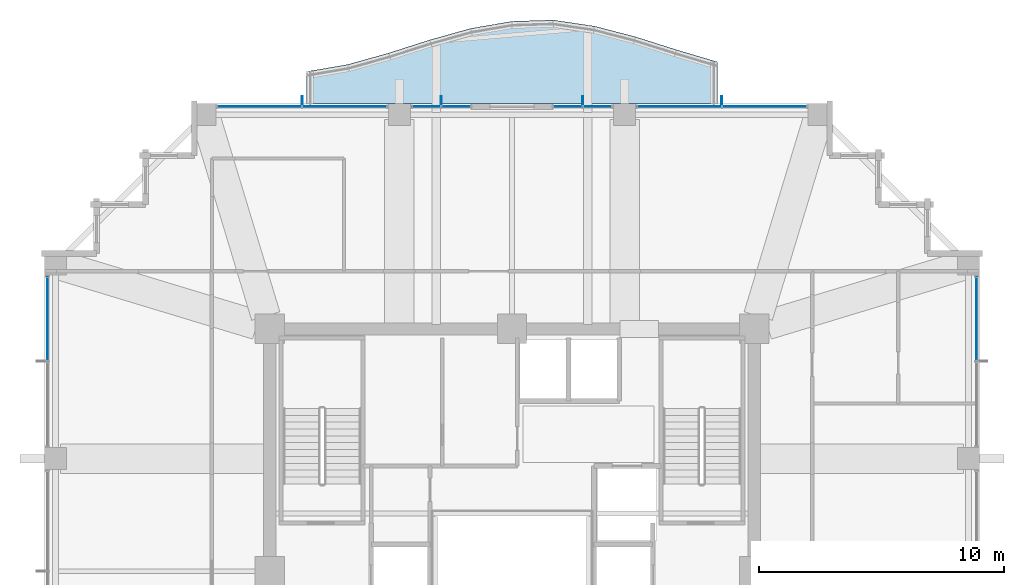
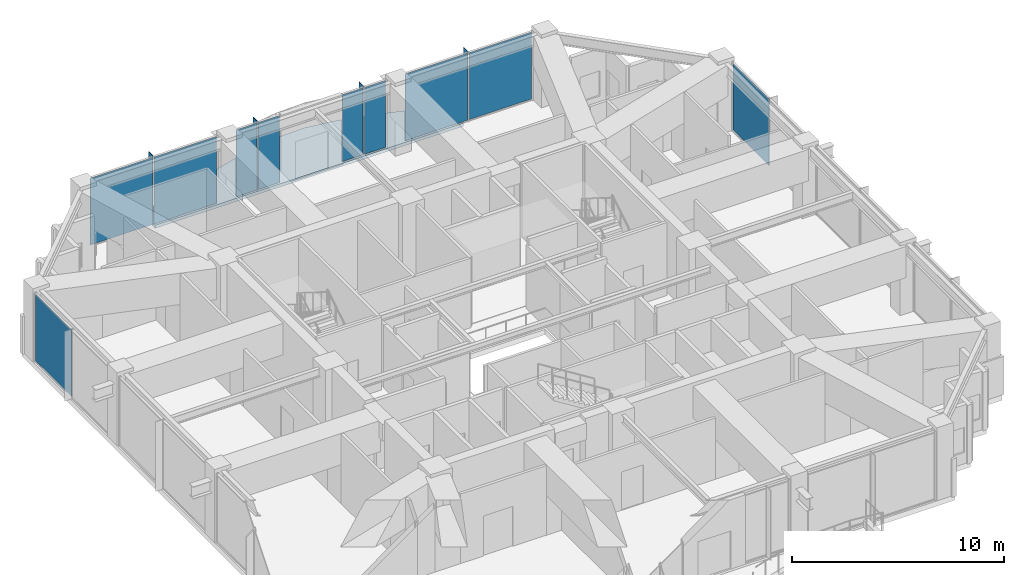
# One storey, part 25 of 33: 14 plates, 1 slab, 6 elements without a shape of their own.
"""IFC4 building model written with IfcOpenShell, lengths in metres."""

from ifc_helpers import new_model, si_unit, direction, frame, origin, origin_2d, place, context, subcontext, project, spatial, polyline, rectangle, outline, extrude, material, layer, layer_set, type_object, element, aggregate, save


model = new_model("IFC4")

# Units and contexts
model_context = context("Model", 3, precision=1e-05, world=origin(), true_north=direction((0.0, 1.0)))
body_context = subcontext(model_context, "Body", "Model", "MODEL_VIEW")
ifc_project = project(units=[si_unit("LENGTHUNIT", "METRE"), si_unit("AREAUNIT", "SQUARE_METRE"), si_unit("VOLUMEUNIT", "CUBIC_METRE"), si_unit("PLANEANGLEUNIT", "RADIAN"), si_unit("MASSUNIT", "GRAM", prefix="KILO")], contexts=[model_context])

# Site, building, storey
site_placement = place(None, origin())
site = spatial("IfcSite", under=ifc_project, at=site_placement, CompositionType="ELEMENT")
building_placement = place(site_placement, origin())
building = spatial("IfcBuilding", under=site, at=building_placement, Name="Kolvaren Belvedere", CompositionType="ELEMENT")
storey_placement = place(building_placement, frame((0.0, 0.0, 152.699951171875)))
storey = spatial("IfcBuildingStorey", under=building, at=storey_placement, Name="L44", CompositionType="ELEMENT", Elevation=152.699951171875)

# Curtain wall, plate
ifc_material_1 = material(Name="Anodised pale-metal aluminium AA 6063-T6", Category="aluminium")
curtain_wall_type = type_object("IfcCurtainWallType", Name="CW-Z3-WAIST", PredefinedType="NOTDEFINED", material=ifc_material_1)
curtain_wall_1_placement = place(storey_placement, origin())
curtain_wall_1 = element("IfcCurtainWall", 1, at=curtain_wall_1_placement, inside=storey, type_object=curtain_wall_type, Name="L44 Unitised Curtain Wall FCW-L44-E-B1", PredefinedType="NOTDEFINED")
ifc_material_2 = material(Name="Low-iron triple insulated glass", Category="glass")
ifc_layer_1 = layer(ifc_material_2, 0.028076171875)
ifc_layer_set_1 = layer_set([ifc_layer_1], Name="Low-iron triple insulated glass")
plate_type_1 = type_object("IfcPlateType", Name="CW-PNL-VIS28", PredefinedType="CURTAIN_PANEL", material=ifc_layer_set_1)
plate_1_placement = place(storey_placement, frame((18.97998046875, 10.311279296875, 0.080078125), z_axis=(0.0, 0.0, 1.0), x_axis=(0.0, -1.0, 0.0)))
plate_1 = element("IfcPlate", 2, at=plate_1_placement, type_object=plate_type_1, Name="FCW-L44-E-B1 Vision Glazing Panel 1", PredefinedType="CURTAIN_PANEL", context=body_context, shape_type="SweptSolid", body=[
    extrude(rectangle(XDim=3.392578125, YDim=0.028076171875, at=origin_2d()), origin(), (0.0, 0.0, 1.0), 3.840087890625),
])
aggregate(curtain_wall_1, [plate_1])

# Curtain wall, plates
curtain_wall_2_placement = place(storey_placement, origin())
curtain_wall_2 = element("IfcCurtainWall", 3, at=curtain_wall_2_placement, inside=storey, type_object=curtain_wall_type, Name="L44 Unitised Curtain Wall FCW-L44-N1-B1", PredefinedType="NOTDEFINED")
plate_2_placement = place(storey_placement, frame((-10.311279296875, 18.97998046875, 0.080078125), z_axis=(0.0, 0.0, 1.0), x_axis=(1.0, 0.0, 0.0)))
plate_2 = element("IfcPlate", 4, at=plate_2_placement, type_object=plate_type_1, Name="FCW-L44-N1-B1 Vision Glazing Panel 1", PredefinedType="CURTAIN_PANEL", context=body_context, shape_type="SweptSolid", body=[
    extrude(rectangle(XDim=3.392578125, YDim=0.028076171875, at=origin_2d()), origin(), (0.0, 0.0, 1.0), 3.840087890625),
])
plate_3_placement = place(storey_placement, frame((-6.8388671875, 18.97998046875, 0.080078125), z_axis=(0.0, 0.0, 1.0), x_axis=(1.0, 0.0, 0.0)))
plate_3 = element("IfcPlate", 5, at=plate_3_placement, type_object=plate_type_1, Name="FCW-L44-N1-B1 Vision Glazing Panel 2", PredefinedType="CURTAIN_PANEL", context=body_context, shape_type="SweptSolid", body=[
    extrude(rectangle(XDim=3.392578125, YDim=0.028076171875, at=origin_2d()), origin(), (0.0, 0.0, 1.0), 3.840087890625),
])
aggregate(curtain_wall_2, [plate_2, plate_3])

curtain_wall_3_placement = place(storey_placement, origin())
curtain_wall_3 = element("IfcCurtainWall", 6, at=curtain_wall_3_placement, inside=storey, type_object=curtain_wall_type, Name="L44 Unitised Curtain Wall FCW-L44-N1-B2", PredefinedType="NOTDEFINED")
plate_4_placement = place(storey_placement, frame((-3.4931640625, 18.97998046875, 0.080078125), z_axis=(0.0, 0.0, 1.0), x_axis=(1.0, 0.0, 0.0)))
plate_4 = element("IfcPlate", 7, at=plate_4_placement, type_object=plate_type_1, Name="FCW-L44-N1-B2 Vision Glazing Panel 1", PredefinedType="CURTAIN_PANEL", context=body_context, shape_type="SweptSolid", body=[
    extrude(rectangle(XDim=1.12890625, YDim=0.028076171875, at=origin_2d()), origin(), (0.0, 0.0, 1.0), 3.840087890625),
])
plate_5_placement = place(storey_placement, frame((-2.284423828125, 18.97998046875, 0.080078125), z_axis=(0.0, 0.0, 1.0), x_axis=(1.0, 0.0, 0.0)))
plate_5 = element("IfcPlate", 8, at=plate_5_placement, type_object=plate_type_1, Name="FCW-L44-N1-B2 Vision Glazing Panel 2", PredefinedType="CURTAIN_PANEL", context=body_context, shape_type="SweptSolid", body=[
    extrude(rectangle(XDim=1.12890625, YDim=0.028076171875, at=origin_2d()), origin(), (0.0, 0.0, 1.0), 3.840087890625),
])
aggregate(curtain_wall_3, [plate_4, plate_5])

curtain_wall_4_placement = place(storey_placement, origin())
curtain_wall_4 = element("IfcCurtainWall", 9, at=curtain_wall_4_placement, inside=storey, type_object=curtain_wall_type, Name="L44 Unitised Curtain Wall FCW-L44-N2-B1", PredefinedType="NOTDEFINED")
plate_6_placement = place(storey_placement, frame((2.284423828125, 18.97998046875, 0.080078125), z_axis=(0.0, 0.0, 1.0), x_axis=(1.0, 0.0, 0.0)))
plate_6 = element("IfcPlate", 10, at=plate_6_placement, type_object=plate_type_1, Name="FCW-L44-N2-B1 Vision Glazing Panel 1", PredefinedType="CURTAIN_PANEL", context=body_context, shape_type="SweptSolid", body=[
    extrude(rectangle(XDim=1.12890625, YDim=0.028076171875, at=origin_2d()), origin(), (0.0, 0.0, 1.0), 3.840087890625),
])
plate_7_placement = place(storey_placement, frame((3.4931640625, 18.97998046875, 0.080078125), z_axis=(0.0, 0.0, 1.0), x_axis=(1.0, 0.0, 0.0)))
plate_7 = element("IfcPlate", 11, at=plate_7_placement, type_object=plate_type_1, Name="FCW-L44-N2-B1 Vision Glazing Panel 2", PredefinedType="CURTAIN_PANEL", context=body_context, shape_type="SweptSolid", body=[
    extrude(rectangle(XDim=1.12890625, YDim=0.028076171875, at=origin_2d()), origin(), (0.0, 0.0, 1.0), 3.840087890625),
])
aggregate(curtain_wall_4, [plate_6, plate_7])

curtain_wall_5_placement = place(storey_placement, origin())
curtain_wall_5 = element("IfcCurtainWall", 12, at=curtain_wall_5_placement, inside=storey, type_object=curtain_wall_type, Name="L44 Unitised Curtain Wall FCW-L44-N2-B2", PredefinedType="NOTDEFINED")
plate_8_placement = place(storey_placement, frame((6.8388671875, 18.97998046875, 0.080078125), z_axis=(0.0, 0.0, 1.0), x_axis=(1.0, 0.0, 0.0)))
plate_8 = element("IfcPlate", 13, at=plate_8_placement, type_object=plate_type_1, Name="FCW-L44-N2-B2 Vision Glazing Panel 1", PredefinedType="CURTAIN_PANEL", context=body_context, shape_type="SweptSolid", body=[
    extrude(rectangle(XDim=3.392578125, YDim=0.028076171875, at=origin_2d()), origin(), (0.0, 0.0, 1.0), 3.840087890625),
])
plate_9_placement = place(storey_placement, frame((10.311279296875, 18.97998046875, 0.080078125), z_axis=(0.0, 0.0, 1.0), x_axis=(1.0, 0.0, 0.0)))
plate_9 = element("IfcPlate", 14, at=plate_9_placement, type_object=plate_type_1, Name="FCW-L44-N2-B2 Vision Glazing Panel 2", PredefinedType="CURTAIN_PANEL", context=body_context, shape_type="SweptSolid", body=[
    extrude(rectangle(XDim=3.392578125, YDim=0.028076171875, at=origin_2d()), origin(), (0.0, 0.0, 1.0), 3.840087890625),
])
aggregate(curtain_wall_5, [plate_8, plate_9])

# Curtain wall, plate
curtain_wall_6_placement = place(storey_placement, origin())
curtain_wall_6 = element("IfcCurtainWall", 15, at=curtain_wall_6_placement, inside=storey, type_object=curtain_wall_type, Name="L44 Unitised Curtain Wall FCW-L44-W-B3", PredefinedType="NOTDEFINED")
plate_10_placement = place(storey_placement, frame((-18.97998046875, 10.311279296875, 0.080078125), z_axis=(0.0, 0.0, 1.0), x_axis=(0.0, 1.0, 0.0)))
plate_10 = element("IfcPlate", 16, at=plate_10_placement, type_object=plate_type_1, Name="FCW-L44-W-B3 Vision Glazing Panel 2", PredefinedType="CURTAIN_PANEL", context=body_context, shape_type="SweptSolid", body=[
    extrude(rectangle(XDim=3.392578125, YDim=0.028076171875, at=origin_2d()), origin(), (0.0, 0.0, 1.0), 3.840087890625),
])
aggregate(curtain_wall_6, [plate_10])

# Plates
ifc_material_3 = material(Name="Anodised pale-metal aluminium AA 6063-T6", Category="aluminium")
ifc_layer_2 = layer(ifc_material_3, 0.033935546875)
ifc_layer_set_2 = layer_set([ifc_layer_2], Name="Anodised pale-metal aluminium AA 6063-T6")
plate_type_2 = type_object("IfcPlateType", Name="FIN-VERT-380", PredefinedType="USERDEFINED", material=ifc_layer_set_2)
for number, where, z_axis, x_axis, name in (
    (17, (-8.574951171875, 19.219970703125, 0.0), (0.0, 0.0, 1.0), (0.0, 1.0, 0.0), "L44 Pale-Metal Vertical Shading Fin FCW-L44-N1-B1-1"),
    (18, (-2.888671875, 19.219970703125, 0.0), (0.0, 0.0, 1.0), (0.0, 1.0, 0.0), "L44 Pale-Metal Vertical Shading Fin FCW-L44-N1-B2-1"),
    (19, (2.888671875, 19.219970703125, 0.0), (0.0, 0.0, 1.0), (0.0, 1.0, 0.0), "L44 Pale-Metal Vertical Shading Fin FCW-L44-N2-B1-1"),
    (20, (8.574951171875, 19.219970703125, 0.0), (0.0, 0.0, 1.0), (0.0, 1.0, 0.0), "L44 Pale-Metal Vertical Shading Fin FCW-L44-N2-B2-1"),
):
    element("IfcPlate", number, at=place(storey_placement, frame(where, z_axis=z_axis, x_axis=x_axis)), inside=storey, type_object=plate_type_2, Name=name, ObjectType="VERTICAL FIN", PredefinedType="USERDEFINED", context=body_context, shape_type="SweptSolid", body=[
        extrude(rectangle(XDim=0.3798828125, YDim=0.033935546875, at=origin_2d()), origin(), (0.0, 0.0, 1.0), 4.0),
    ])

# Slab
ifc_material_4 = material(Name="Concrete C50/60", Category="concrete")
ifc_layer_3 = layer(ifc_material_4, 0.179931640625)
ifc_layer_set_3 = layer_set([ifc_layer_3], Name="Concrete C50/60")
slab_type = type_object("IfcSlabType", Name="SL-BAL-180", PredefinedType="FLOOR", material=ifc_layer_set_3)
slab_placement = place(storey_placement, frame((0.0, 0.0, -0.300048828125)))
element("IfcSlab", 21, at=slab_placement, inside=storey, type_object=slab_type, Name="L44 Planted Balcony BAL-N", PredefinedType="FLOOR", context=body_context, shape_type="SweptSolid", body=[
    extrude(outline(polyline([(-8.39990234375, 19.10009765625), (-6.719970703125, 19.10009765625), (-5.0400390625, 19.10009765625), (-3.360107421875, 19.10009765625), (-1.679931640625, 19.10009765625), (0.0, 19.10009765625), (1.679931640625, 19.10009765625), (3.360107421875, 19.10009765625), (5.0400390625, 19.10009765625), (6.719970703125, 19.10009765625), (8.39990234375, 19.10009765625), (8.39990234375, 20.80517578125), (6.719970703125, 21.3046875), (5.0400390625, 21.837646484375), (3.360107421875, 22.272216796875), (1.679931640625, 22.52001953125), (0.0, 22.467041015625), (-1.679931640625, 22.17919921875), (-3.360107421875, 21.70849609375), (-5.0400390625, 21.17138671875), (-6.719970703125, 20.70068359375), (-8.39990234375, 20.412841796875), (-8.39990234375, 19.10009765625)])), origin(), (0.0, 0.0, 1.0), 0.18017578125),
])

save(model, "model.ifc")
